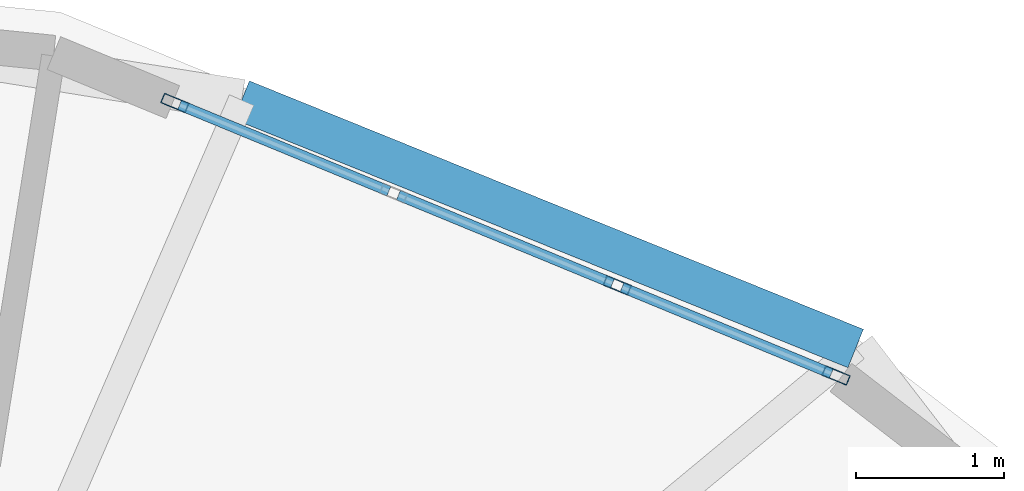
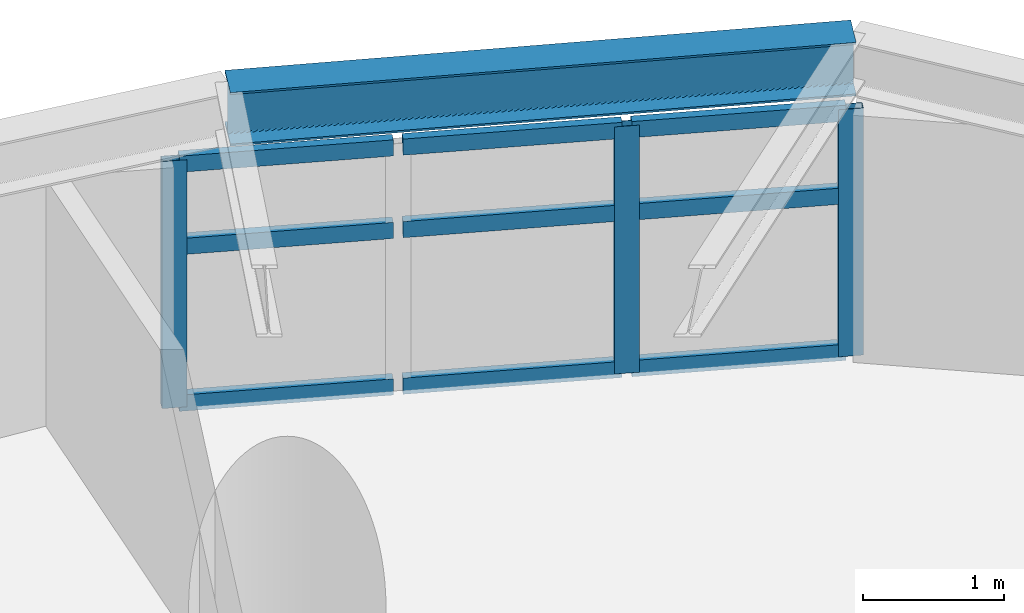
# One storey, part 7 of 18: 12 members, 1 beam, 1 element without a shape of its own.
"""IFC4 building model written with IfcOpenShell, lengths in metres."""

from ifc_helpers import new_model, si_unit, direction, frame, origin, origin_2d, place, context, subcontext, project, spatial, hollow_rectangle, i_section, extrude, material, layer, layer_set, material_profile, profile_set, type_object, element, aggregate, save


model = new_model("IFC4")

# Units and contexts
model_context = context("Model", 3, precision=1e-05, world=origin(), true_north=direction((0.0, 1.0)))
body_context = subcontext(model_context, "Body", "Model", "MODEL_VIEW")
ifc_project = project(units=[si_unit("LENGTHUNIT", "METRE"), si_unit("AREAUNIT", "SQUARE_METRE"), si_unit("VOLUMEUNIT", "CUBIC_METRE"), si_unit("PLANEANGLEUNIT", "RADIAN"), si_unit("MASSUNIT", "GRAM", prefix="KILO")], contexts=[model_context])

# Site, building, storey
site_placement = place(None, origin())
site = spatial("IfcSite", under=ifc_project, at=site_placement, CompositionType="ELEMENT")
building_placement = place(site_placement, origin())
building = spatial("IfcBuilding", under=site, at=building_placement, Name="Cununo Teusaquillo Station Towers", CompositionType="ELEMENT")
storey_placement = place(building_placement, frame((0.0, 0.0, 122.530029296875)))
storey = spatial("IfcBuildingStorey", under=building, at=storey_placement, Name="L39", CompositionType="ELEMENT", Elevation=122.530029296875)

# Beam
ifc_material_1 = material(Name="Steel ASTM A572 Grade 50", Category="steel")
ifc_material_profile_1 = material_profile(ifc_material_1, i_section(OverallWidth=0.280029296875, OverallDepth=0.462890625, WebThickness=0.0107421875, FlangeThickness=0.017333984375, FilletRadius=0.013916015625, at=origin_2d()), Name="W18X76")
ifc_profile_set_1 = profile_set([ifc_material_profile_1], Name="Steel ASTM A572 Grade 50")
beam_type = type_object("IfcBeamType", Name="BM-RING-Z2", PredefinedType="SPANDREL", material=ifc_profile_set_1)
beam_placement = place(storey_placement, frame((63.9111328125, 39.341064453125, 2.3984375), z_axis=(-0.927007712072, 0.375042266631, 0.0), x_axis=(-0.375042266631, -0.927007712072, 0.0)))
element("IfcBeam", 1, at=beam_placement, inside=storey, type_object=beam_type, Name="L39 Tower B Spandrel Ring Beam 02", PredefinedType="SPANDREL", context=body_context, shape_type="SweptSolid", body=[
    extrude(i_section(OverallWidth=0.280029296875, OverallDepth=0.462890625, WebThickness=0.0107421875, FlangeThickness=0.017333984375, FilletRadius=0.013916015625, at=origin_2d()), origin(), (0.0, 0.0, 1.0), 4.480712890625),
])

# Curtain wall, members
ifc_material_2 = material(Name="Ceramic-fritted dark low-E double glazing", Category="glass")
ifc_layer = layer(ifc_material_2, 0.179931640625)
ifc_layer_set = layer_set([ifc_layer], Name="Ceramic-fritted dark low-E double glazing")
curtain_wall_type = type_object("IfcCurtainWallType", Name="CW-SYS-04", PredefinedType="USERDEFINED", material=ifc_layer_set)
curtain_wall_placement = place(storey_placement, origin())
curtain_wall = element("IfcCurtainWall", 2, at=curtain_wall_placement, inside=storey, type_object=curtain_wall_type, Name="L39 Tower B Facade Curtain Wall C01", ObjectType="FRITTED GLAZING", PredefinedType="USERDEFINED")
ifc_material_3 = material(Name="Anodised dark bronze aluminium EN AW-6063-T6", Category="aluminium")
ifc_material_profile_2 = material_profile(ifc_material_3, hollow_rectangle(XDim=0.070068359375, YDim=0.179931640625, WallThickness=0.00390625, at=origin_2d()), Name="CW-MULL-70x180")
ifc_profile_set_2 = profile_set([ifc_material_profile_2], Name="Anodised dark bronze aluminium EN AW-6063-T6")
member_type_1 = type_object("IfcMemberType", Name="CWM-180", PredefinedType="MULLION", material=ifc_profile_set_2)
member_1_placement = place(storey_placement, frame((59.3056640625, 41.001953125, 0.0), z_axis=(0.0, 0.0, 1.0), x_axis=(0.381030560176, 0.924562443652, 0.0)))
member_1 = element("IfcMember", 3, at=member_1_placement, type_object=member_type_1, Name="CW-04 mullion 1", PredefinedType="MULLION", context=body_context, shape_type="SweptSolid", body=[
    extrude(hollow_rectangle(XDim=0.070068359375, YDim=0.179931640625, WallThickness=0.00390625, at=origin_2d()), origin(), (0.0, 0.0, 1.0), 2.138916015625),
])
member_2_placement = place(storey_placement, frame((62.298583984375, 39.7685546875, 0.0), z_axis=(0.0, 0.0, 1.0), x_axis=(0.381030560176, 0.924562443652, 0.0)))
member_2 = element("IfcMember", 4, at=member_2_placement, type_object=member_type_1, Name="CW-04 mullion 3", PredefinedType="MULLION", context=body_context, shape_type="SweptSolid", body=[
    extrude(hollow_rectangle(XDim=0.070068359375, YDim=0.179931640625, WallThickness=0.00390625, at=origin_2d()), origin(), (0.0, 0.0, 1.0), 2.138916015625),
])
member_3_placement = place(storey_placement, frame((63.77880859375, 39.158447265625, 0.0), z_axis=(0.0, 0.0, 1.0), x_axis=(0.381030560176, 0.924562443652, 0.0)))
member_3 = element("IfcMember", 5, at=member_3_placement, type_object=member_type_1, Name="CW-04 mullion 4", PredefinedType="MULLION", context=body_context, shape_type="SweptSolid", body=[
    extrude(hollow_rectangle(XDim=0.070068359375, YDim=0.179931640625, WallThickness=0.00390625, at=origin_2d()), origin(), (0.0, 0.0, 1.0), 2.138916015625),
])
ifc_material_4 = material(Name="Anodised dark bronze aluminium EN AW-6063-T6", Category="aluminium")
ifc_material_profile_3 = material_profile(ifc_material_4, hollow_rectangle(XDim=0.070068359375, YDim=0.139892578125, WallThickness=0.00390625, at=origin_2d()), Name="CW-TRAN-70x140")
ifc_profile_set_3 = profile_set([ifc_material_profile_3], Name="Anodised dark bronze aluminium EN AW-6063-T6")
member_type_2 = type_object("IfcMemberType", Name="CWT-140", PredefinedType="USERDEFINED", material=ifc_profile_set_3)
member_4_placement = place(storey_placement, frame((59.337890625, 40.98876953125, 0.034912109375), z_axis=(0.924532726965, -0.381102659097, 0.0), x_axis=(0.381102659097, 0.924532726965, 0.0)))
member_4 = element("IfcMember", 6, at=member_4_placement, type_object=member_type_2, Name="CW-04 transom 1.1", ObjectType="TRANSOM", PredefinedType="USERDEFINED", context=body_context, shape_type="SweptSolid", body=[
    extrude(hollow_rectangle(XDim=0.070068359375, YDim=0.139892578125, WallThickness=0.00390625, at=origin_2d()), origin(), (0.0, 0.0, 1.0), 1.531005859375),
])
member_5_placement = place(storey_placement, frame((59.337890625, 40.98876953125, 1.389892578125), z_axis=(0.924532726965, -0.381102659097, 0.0), x_axis=(0.381102659097, 0.924532726965, 0.0)))
member_5 = element("IfcMember", 7, at=member_5_placement, type_object=member_type_2, Name="CW-04 transom 1.2", ObjectType="TRANSOM", PredefinedType="USERDEFINED", context=body_context, shape_type="SweptSolid", body=[
    extrude(hollow_rectangle(XDim=0.070068359375, YDim=0.139892578125, WallThickness=0.00390625, at=origin_2d()), origin(), (0.0, 0.0, 1.0), 1.531005859375),
])
member_6_placement = place(storey_placement, frame((59.337890625, 40.98876953125, 2.10400390625), z_axis=(0.924532726965, -0.381102659097, 0.0), x_axis=(0.381102659097, 0.924532726965, 0.0)))
member_6 = element("IfcMember", 8, at=member_6_placement, type_object=member_type_2, Name="CW-04 transom 1.3", ObjectType="TRANSOM", PredefinedType="USERDEFINED", context=body_context, shape_type="SweptSolid", body=[
    extrude(hollow_rectangle(XDim=0.070068359375, YDim=0.139892578125, WallThickness=0.00390625, at=origin_2d()), origin(), (0.0, 0.0, 1.0), 1.531005859375),
])
member_7_placement = place(storey_placement, frame((60.818115234375, 40.378662109375, 0.034912109375), z_axis=(0.924577983912, -0.380992849887, 0.0), x_axis=(0.380992849887, 0.924577983912, 0.0)))
member_7 = element("IfcMember", 9, at=member_7_placement, type_object=member_type_2, Name="CW-04 transom 2.1", ObjectType="TRANSOM", PredefinedType="USERDEFINED", context=body_context, shape_type="SweptSolid", body=[
    extrude(hollow_rectangle(XDim=0.070068359375, YDim=0.139892578125, WallThickness=0.00390625, at=origin_2d()), origin(), (0.0, 0.0, 1.0), 1.566162109375),
])
member_8_placement = place(storey_placement, frame((60.818115234375, 40.378662109375, 1.389892578125), z_axis=(0.924577983912, -0.380992849887, 0.0), x_axis=(0.380992849887, 0.924577983912, 0.0)))
member_8 = element("IfcMember", 10, at=member_8_placement, type_object=member_type_2, Name="CW-04 transom 2.2", ObjectType="TRANSOM", PredefinedType="USERDEFINED", context=body_context, shape_type="SweptSolid", body=[
    extrude(hollow_rectangle(XDim=0.070068359375, YDim=0.139892578125, WallThickness=0.00390625, at=origin_2d()), origin(), (0.0, 0.0, 1.0), 1.566162109375),
])
member_9_placement = place(storey_placement, frame((60.818115234375, 40.378662109375, 2.10400390625), z_axis=(0.924577983912, -0.380992849887, 0.0), x_axis=(0.380992849887, 0.924577983912, 0.0)))
member_9 = element("IfcMember", 11, at=member_9_placement, type_object=member_type_2, Name="CW-04 transom 2.3", ObjectType="TRANSOM", PredefinedType="USERDEFINED", context=body_context, shape_type="SweptSolid", body=[
    extrude(hollow_rectangle(XDim=0.070068359375, YDim=0.139892578125, WallThickness=0.00390625, at=origin_2d()), origin(), (0.0, 0.0, 1.0), 1.566162109375),
])
member_10_placement = place(storey_placement, frame((62.330810546875, 39.75537109375, 0.034912109375), z_axis=(0.924555881283, -0.381046483233, 0.0), x_axis=(0.381046483233, 0.924555881283, 0.0)))
member_10 = element("IfcMember", 12, at=member_10_placement, type_object=member_type_2, Name="CW-04 transom 3.1", ObjectType="TRANSOM", PredefinedType="USERDEFINED", context=body_context, shape_type="SweptSolid", body=[
    extrude(hollow_rectangle(XDim=0.070068359375, YDim=0.139892578125, WallThickness=0.00390625, at=origin_2d()), origin(), (0.0, 0.0, 1.0), 1.53125),
])
member_11_placement = place(storey_placement, frame((62.330810546875, 39.75537109375, 1.389892578125), z_axis=(0.924555881283, -0.381046483233, 0.0), x_axis=(0.381046483233, 0.924555881283, 0.0)))
member_11 = element("IfcMember", 13, at=member_11_placement, type_object=member_type_2, Name="CW-04 transom 3.2", ObjectType="TRANSOM", PredefinedType="USERDEFINED", context=body_context, shape_type="SweptSolid", body=[
    extrude(hollow_rectangle(XDim=0.070068359375, YDim=0.139892578125, WallThickness=0.00390625, at=origin_2d()), origin(), (0.0, 0.0, 1.0), 1.53125),
])
member_12_placement = place(storey_placement, frame((62.330810546875, 39.75537109375, 2.10400390625), z_axis=(0.924555881283, -0.381046483233, 0.0), x_axis=(0.381046483233, 0.924555881283, 0.0)))
member_12 = element("IfcMember", 14, at=member_12_placement, type_object=member_type_2, Name="CW-04 transom 3.3", ObjectType="TRANSOM", PredefinedType="USERDEFINED", context=body_context, shape_type="SweptSolid", body=[
    extrude(hollow_rectangle(XDim=0.070068359375, YDim=0.139892578125, WallThickness=0.00390625, at=origin_2d()), origin(), (0.0, 0.0, 1.0), 1.53125),
])
aggregate(curtain_wall, [member_1, member_2, member_3, member_4, member_5, member_6, member_7, member_8, member_9, member_10, member_11, member_12])

save(model, "model.ifc")
